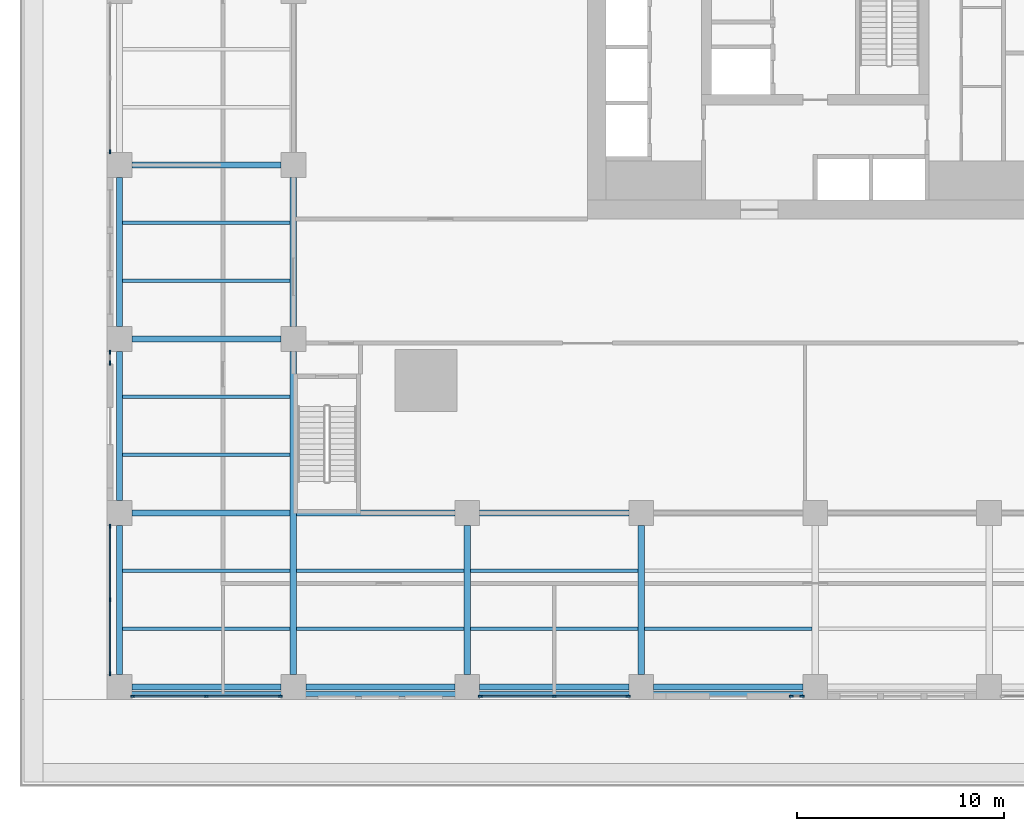
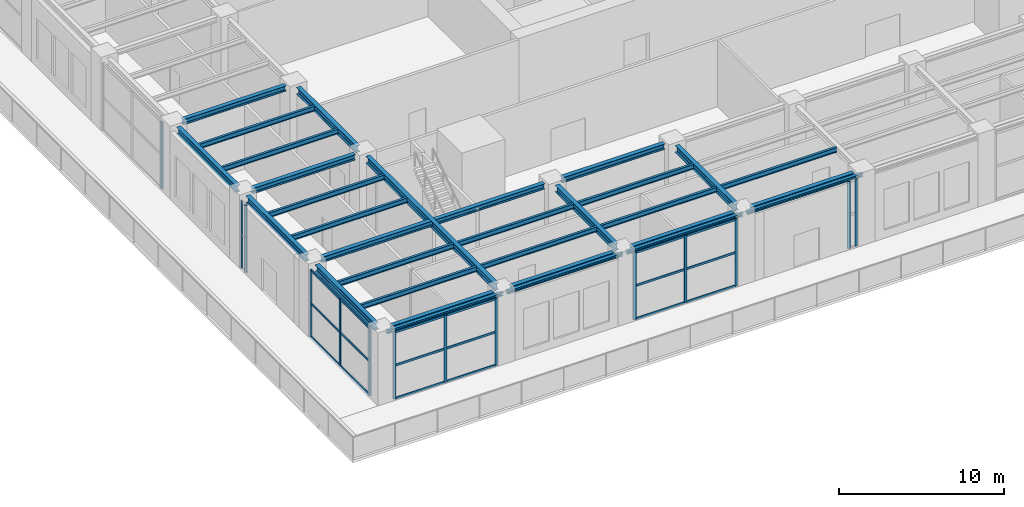
# One storey, part 2 of 36: 32 members, 30 beams, 6 elements without a shape of their own.
"""IFC4 building model written with IfcOpenShell, lengths in metres."""

import ifcopenshell
import ifcopenshell.guid

model = None  # the IFC model being written
_history = None  # IfcOwnerHistory: only IFC2X3 demands one
_inside = {}  # id of a spatial element -> (the spatial element, [elements in it])
_under = {}  # id of a project, library or spatial element -> (it, [spatial elements below it])
_declared = {}  # id of a project -> (the project, [libraries it declares])
_typed = {}  # id of a type object -> (the type object, [elements of that type])
_made_of = {}  # id of a material, layer set ... -> (it, [elements and type objects made of it])


def new_model(schema):
    """Start an empty IFC model of exactly this schema.

    Asked for "IFC4X3", IfcOpenShell would pick the latest addendum, in which some entities
    have other attributes; the version numbers below select the first issue.
    IFC2X3 requires an IfcOwnerHistory on every rooted entity: one is made here for all.
    """
    global model, _history
    if schema == "IFC4X3":
        model = ifcopenshell.file(schema_version=(4, 3, 0, 0))
    else:
        model = ifcopenshell.file(schema=schema)
    _inside.clear()
    _under.clear()
    _declared.clear()
    _typed.clear()
    _made_of.clear()
    _history = None
    if model.schema == "IFC2X3":
        org = make("IfcOrganization", Name="unknown")
        user = make(
            "IfcPersonAndOrganization",
            ThePerson=make("IfcPerson", FamilyName="unknown"),
            TheOrganization=org,
        )
        app = make(
            "IfcApplication",
            ApplicationDeveloper=org,
            Version="unknown",
            ApplicationFullName="unknown",
            ApplicationIdentifier="unknown",
        )
        _history = make(
            "IfcOwnerHistory",
            OwningUser=user,
            OwningApplication=app,
            ChangeAction="ADDED",
            CreationDate=0,
        )
    return model


def make(cls, **values):
    """One entity of the class cls with the attributes given. An attribute that is None is left unset."""
    return model.create_entity(
        cls, **{name: value for name, value in values.items() if value is not None}
    )


def rooted(cls, **values):
    """An entity with a GlobalId (a new one), such as an element, a storey or a relation."""
    return make(cls, GlobalId=ifcopenshell.guid.new(), OwnerHistory=_history, **values)


def si_unit(unit_type, name, prefix=None):
    """IfcSIUnit, for example si_unit("LENGTHUNIT", "METRE", prefix="MILLI")."""
    return make("IfcSIUnit", UnitType=unit_type, Prefix=prefix, Name=name)


def assignment(units):
    """IfcUnitAssignment: the units of a project."""
    return None if units is None else make("IfcUnitAssignment", Units=units)


def point(xyz):
    """IfcCartesianPoint."""
    return None if xyz is None else make("IfcCartesianPoint", Coordinates=xyz)


def direction(xyz):
    """IfcDirection."""
    return None if xyz is None else make("IfcDirection", DirectionRatios=xyz)


def frame(location, z_axis=None, x_axis=None):
    """IfcAxis2Placement3D, a coordinate frame: its origin and axes. An axis left out is left unset."""
    return make(
        "IfcAxis2Placement3D",
        Location=point(location),
        Axis=direction(z_axis),
        RefDirection=direction(x_axis),
    )


def frame_2d(location, x_axis=None):
    """IfcAxis2Placement2D, a coordinate frame in the plane: its origin and x axis."""
    return make(
        "IfcAxis2Placement2D", Location=point(location), RefDirection=direction(x_axis)
    )


def origin():
    """The frame at (0, 0, 0) with its axes left unset."""
    return frame((0.0, 0.0, 0.0))


def origin_2d():
    """The frame at (0, 0) in the plane with its x axis left unset."""
    return frame_2d((0.0, 0.0))


def place(relative_to, where):
    """IfcLocalPlacement: puts the frame where relative to a parent placement (None: the world)."""
    return make(
        "IfcLocalPlacement", PlacementRelTo=relative_to, RelativePlacement=where
    )


def context(
    kind, dimensions, precision=None, world=None, true_north=None, identifier=None
):
    """IfcGeometricRepresentationContext, for example the 3D "Model" context."""
    return make(
        "IfcGeometricRepresentationContext",
        ContextIdentifier=identifier,
        ContextType=kind,
        CoordinateSpaceDimension=dimensions,
        Precision=precision,
        WorldCoordinateSystem=world,
        TrueNorth=true_north,
    )


def subcontext(parent, identifier, kind, view, scale=None):
    """IfcGeometricRepresentationSubContext, for example "Body" below "Model"."""
    return make(
        "IfcGeometricRepresentationSubContext",
        ContextIdentifier=identifier,
        ContextType=kind,
        ParentContext=parent,
        TargetScale=scale,
        TargetView=view,
    )


def project(units=None, contexts=None):
    """IfcProject with its units and contexts."""
    return rooted(
        "IfcProject",
        Name="project",
        RepresentationContexts=contexts,
        UnitsInContext=assignment(units),
    )


def spatial(cls, under=None, at=None, **own):
    """A site, building, storey or space (cls), placed at a placement, below another one or the project."""
    s = rooted(cls, ObjectPlacement=at, **own)
    if under is not None:
        _under.setdefault(under.id(), (under, []))[1].append(s)
    return s


def profile(cls, at=None, kind="AREA", **sizes):
    """A parametric profile (cls). Its sizes go by their IFC names, for example OverallWidth=200.0."""
    return make(cls, ProfileType=kind, Position=at, **sizes)


def rectangle(**sizes):
    """IfcRectangleProfileDef."""
    return profile("IfcRectangleProfileDef", **sizes)


def i_section(**sizes):
    """IfcIShapeProfileDef."""
    return profile("IfcIShapeProfileDef", **sizes)


def extrude(swept, where, along, depth):
    """IfcExtrudedAreaSolid: the profile swept, set in the frame where, extruded along a direction by depth."""
    return make(
        "IfcExtrudedAreaSolid",
        SweptArea=swept,
        Position=where,
        ExtrudedDirection=direction(along),
        Depth=depth,
    )


def shape(context_of_items, identifier, shape_type, items):
    """IfcShapeRepresentation: the items that make up one representation, for example the "Body"."""
    return make(
        "IfcShapeRepresentation",
        ContextOfItems=context_of_items,
        RepresentationIdentifier=identifier,
        RepresentationType=shape_type,
        Items=items,
    )


def material(Name=None, Category=None):
    """IfcMaterial."""
    return make("IfcMaterial", Name=Name, Category=Category)


def material_profile(
    of_material, cross_section, Name=None, Category=None, Priority=None
):
    """IfcMaterialProfile: a cross section and its material."""
    return make(
        "IfcMaterialProfile",
        Name=Name,
        Material=of_material,
        Profile=cross_section,
        Priority=Priority,
        Category=Category,
    )


def profile_set(profiles, Name=None, composite=None):
    """IfcMaterialProfileSet."""
    return make(
        "IfcMaterialProfileSet",
        Name=Name,
        MaterialProfiles=profiles,
        CompositeProfile=composite,
    )


def made_of(thing, what):
    """Note that an element or type object is made of a material, layer set ...; save() writes the relation."""
    if what is not None:
        _made_of.setdefault(what.id(), (what, []))[1].append(thing)
    return thing


def type_object(cls, material=None, **own):
    """A type object (cls), such as IfcWallType, which elements share."""
    return made_of(rooted(cls, **own), material)


def element(
    cls,
    number,
    at=None,
    inside=None,
    cuts=None,
    type_object=None,
    material=None,
    context=None,
    identifier="Body",
    shape_type=None,
    held_by="IfcProductDefinitionShape",
    body=None,
    shapes=None,
    **own,
):
    """One element of the class cls, such as IfcWall. Its Tag is "e" and its number.

    at: its placement. inside: the storey or other place that contains it. cuts: it is an
    opening in that element (IfcRelVoidsElement). A single representation is given by context,
    identifier, shape_type and body (its items); several are given by shapes. held_by: the class
    of the entity that holds the representations. save() writes the other relations.
    """
    e = rooted(cls, Tag="e%d" % number, ObjectPlacement=at, **own)
    if body is not None:
        shapes = [shape(context, identifier, shape_type, body)]
    if shapes is not None:
        e.Representation = make(held_by, Representations=shapes)
    if inside is not None:
        _inside.setdefault(inside.id(), (inside, []))[1].append(e)
    if cuts is not None:
        rooted(
            "IfcRelVoidsElement", RelatingBuildingElement=cuts, RelatedOpeningElement=e
        )
    if type_object is not None:
        _typed.setdefault(type_object.id(), (type_object, []))[1].append(e)
    return made_of(e, material)


def aggregate(whole, parts):
    """IfcRelAggregates: a whole, such as a stair, and the parts it consists of."""
    return rooted("IfcRelAggregates", RelatingObject=whole, RelatedObjects=parts)


def save(model, path):
    """Write the relations noted so far, then the file.

    IfcRelAggregates (storeys below a building ...), IfcRelContainedInSpatialStructure (elements
    in a storey), IfcRelDefinesByType, IfcRelAssociatesMaterial and IfcRelDeclares: one each for
    every whole, place, type object, material and project.
    """
    for whole, parts in _under.values():
        aggregate(whole, parts)
    for where, things in _inside.values():
        rooted(
            "IfcRelContainedInSpatialStructure",
            RelatedElements=things,
            RelatingStructure=where,
        )
    for kind, things in _typed.values():
        rooted("IfcRelDefinesByType", RelatedObjects=things, RelatingType=kind)
    for what, things in _made_of.values():
        rooted("IfcRelAssociatesMaterial", RelatedObjects=things, RelatingMaterial=what)
    for by, libraries in _declared.values():
        rooted("IfcRelDeclares", RelatingContext=by, RelatedDefinitions=libraries)
    model.write(path)


model = new_model("IFC4")

# Units and contexts
model_context = context("Model", 3, precision=1e-05, world=origin(), true_north=direction((0.0, 1.0)))
body_context = subcontext(model_context, "Body", "Model", "MODEL_VIEW")
ifc_project = project(units=[si_unit("LENGTHUNIT", "METRE"), si_unit("AREAUNIT", "SQUARE_METRE"), si_unit("VOLUMEUNIT", "CUBIC_METRE"), si_unit("PLANEANGLEUNIT", "RADIAN"), si_unit("MASSUNIT", "GRAM", prefix="KILO")], contexts=[model_context])

# Site, building, storey
site_placement = place(None, origin())
site = spatial("IfcSite", under=ifc_project, at=site_placement, CompositionType="ELEMENT")
building_placement = place(site_placement, origin())
building = spatial("IfcBuilding", under=site, at=building_placement, Name="Khepri Terraces", CompositionType="ELEMENT")
storey_placement = place(building_placement, frame((0.0, 0.0, 16.800048828125)))
storey = spatial("IfcBuildingStorey", under=building, at=storey_placement, Name="L03", CompositionType="ELEMENT", Elevation=16.800048828125)

# Curtain wall, members
ifc_material_1 = material(Name="Anodised aluminium bronze curtain wall", Category="aluminium")
curtain_wall_type = type_object("IfcCurtainWallType", Name="CW-SYS5-BALLROOM", PredefinedType="NOTDEFINED", material=ifc_material_1)
curtain_wall_1_placement = place(storey_placement, origin())
curtain_wall_1 = element("IfcCurtainWall", 1, at=curtain_wall_1_placement, inside=storey, type_object=curtain_wall_type, Name="Curtain wall CW5 L03 S", PredefinedType="NOTDEFINED")
ifc_material_2 = material(Name="Anodised aluminium bronze", Category="aluminium")
ifc_material_profile_1 = material_profile(ifc_material_2, rectangle(XDim=0.080078125, YDim=0.199951171875, at=origin_2d()), Name="Anodised aluminium bronze", Category="aluminium")
ifc_profile_set_1 = profile_set([ifc_material_profile_1], Name="Anodised aluminium bronze")
member_type_1 = type_object("IfcMemberType", Name="CW-MULLION-80x200", PredefinedType="MULLION", material=ifc_profile_set_1)
member_1_placement = place(storey_placement, frame((-32.9599609375, -34.050048828125, 0.0), z_axis=(0.0, 0.0, 1.0), x_axis=(0.0, 1.0, 0.0)))
member_1 = element("IfcMember", 2, at=member_1_placement, type_object=member_type_1, Name="CW5 mullion 1", PredefinedType="MULLION", context=body_context, shape_type="SweptSolid", body=[
    extrude(rectangle(XDim=0.080078125, YDim=0.199951171875, at=origin_2d()), origin(), (0.0, 0.0, 1.0), 4.97998046875),
])
member_2_placement = place(storey_placement, frame((-29.39990234375, -34.050048828125, 0.0), z_axis=(0.0, 0.0, 1.0), x_axis=(0.0, 1.0, 0.0)))
member_2 = element("IfcMember", 3, at=member_2_placement, type_object=member_type_1, Name="CW5 mullion 2", PredefinedType="MULLION", context=body_context, shape_type="SweptSolid", body=[
    extrude(rectangle(XDim=0.080078125, YDim=0.199951171875, at=origin_2d()), origin(), (0.0, 0.0, 1.0), 4.97998046875),
])
member_3_placement = place(storey_placement, frame((-25.840087890625, -34.050048828125, 0.0), z_axis=(0.0, 0.0, 1.0), x_axis=(0.0, 1.0, 0.0)))
member_3 = element("IfcMember", 4, at=member_3_placement, type_object=member_type_1, Name="CW5 mullion 3", PredefinedType="MULLION", context=body_context, shape_type="SweptSolid", body=[
    extrude(rectangle(XDim=0.080078125, YDim=0.199951171875, at=origin_2d()), origin(), (0.0, 0.0, 1.0), 4.97998046875),
])

curtain_wall_2_placement = place(storey_placement, origin())
curtain_wall_2 = element("IfcCurtainWall", 5, at=curtain_wall_2_placement, inside=storey, type_object=curtain_wall_type, Name="Curtain wall CW5 L03 S", PredefinedType="NOTDEFINED")
member_4_placement = place(storey_placement, frame((-16.159912109375, -34.050048828125, 0.0), z_axis=(0.0, 0.0, 1.0), x_axis=(0.0, 1.0, 0.0)))
member_4 = element("IfcMember", 6, at=member_4_placement, type_object=member_type_1, Name="CW5 mullion 1", PredefinedType="MULLION", context=body_context, shape_type="SweptSolid", body=[
    extrude(rectangle(XDim=0.080078125, YDim=0.199951171875, at=origin_2d()), origin(), (0.0, 0.0, 1.0), 4.97998046875),
])
member_5_placement = place(storey_placement, frame((-12.60009765625, -34.050048828125, 0.0), z_axis=(0.0, 0.0, 1.0), x_axis=(0.0, 1.0, 0.0)))
member_5 = element("IfcMember", 7, at=member_5_placement, type_object=member_type_1, Name="CW5 mullion 2", PredefinedType="MULLION", context=body_context, shape_type="SweptSolid", body=[
    extrude(rectangle(XDim=0.080078125, YDim=0.199951171875, at=origin_2d()), origin(), (0.0, 0.0, 1.0), 4.97998046875),
])
member_6_placement = place(storey_placement, frame((-9.0400390625, -34.050048828125, 0.0), z_axis=(0.0, 0.0, 1.0), x_axis=(0.0, 1.0, 0.0)))
member_6 = element("IfcMember", 8, at=member_6_placement, type_object=member_type_1, Name="CW5 mullion 3", PredefinedType="MULLION", context=body_context, shape_type="SweptSolid", body=[
    extrude(rectangle(XDim=0.080078125, YDim=0.199951171875, at=origin_2d()), origin(), (0.0, 0.0, 1.0), 4.97998046875),
])

curtain_wall_3_placement = place(storey_placement, origin())
curtain_wall_3 = element("IfcCurtainWall", 9, at=curtain_wall_3_placement, inside=storey, type_object=curtain_wall_type, Name="Curtain wall CW5 L03 S", PredefinedType="NOTDEFINED")
member_7_placement = place(storey_placement, frame((-1.159912109375, -34.050048828125, 0.0), z_axis=(0.0, 0.0, 1.0), x_axis=(0.0, 1.0, 0.0)))
member_7 = element("IfcMember", 10, at=member_7_placement, type_object=member_type_1, Name="CW5 mullion 1", PredefinedType="MULLION", context=body_context, shape_type="SweptSolid", body=[
    extrude(rectangle(XDim=0.080078125, YDim=0.199951171875, at=origin_2d()), origin(), (0.0, 0.0, 1.0), 4.97998046875),
])
member_8_placement = place(storey_placement, frame((-0.639892578125, -34.050048828125, 0.0), z_axis=(0.0, 0.0, 1.0), x_axis=(0.0, 1.0, 0.0)))
member_8 = element("IfcMember", 11, at=member_8_placement, type_object=member_type_1, Name="CW5 mullion 2", PredefinedType="MULLION", context=body_context, shape_type="SweptSolid", body=[
    extrude(rectangle(XDim=0.080078125, YDim=0.199951171875, at=origin_2d()), origin(), (0.0, 0.0, 1.0), 4.97998046875),
])
aggregate(curtain_wall_3, [member_7, member_8])

# Curtain wall, member
curtain_wall_4_placement = place(storey_placement, origin())
curtain_wall_4 = element("IfcCurtainWall", 12, at=curtain_wall_4_placement, inside=storey, type_object=curtain_wall_type, Name="Curtain wall CW5 L03 W", PredefinedType="NOTDEFINED")
member_9_placement = place(storey_placement, frame((-34.050048828125, -7.760009765625, 0.0), z_axis=(0.0, 0.0, 1.0), x_axis=(1.0, 0.0, 0.0)))
member_9 = element("IfcMember", 13, at=member_9_placement, type_object=member_type_1, Name="CW5 mullion 3", PredefinedType="MULLION", context=body_context, shape_type="SweptSolid", body=[
    extrude(rectangle(XDim=0.080078125, YDim=0.199951171875, at=origin_2d()), origin(), (0.0, 0.0, 1.0), 4.97998046875),
])
aggregate(curtain_wall_4, [member_9])

# Curtain wall, members
curtain_wall_5_placement = place(storey_placement, origin())
curtain_wall_5 = element("IfcCurtainWall", 14, at=curtain_wall_5_placement, inside=storey, type_object=curtain_wall_type, Name="Curtain wall CW5 L03 W", PredefinedType="NOTDEFINED")
member_10_placement = place(storey_placement, frame((-34.050048828125, -17.43994140625, 0.0), z_axis=(0.0, 0.0, 1.0), x_axis=(1.0, 0.0, 0.0)))
member_10 = element("IfcMember", 15, at=member_10_placement, type_object=member_type_1, Name="CW5 mullion 1", PredefinedType="MULLION", context=body_context, shape_type="SweptSolid", body=[
    extrude(rectangle(XDim=0.080078125, YDim=0.199951171875, at=origin_2d()), origin(), (0.0, 0.0, 1.0), 4.97998046875),
])
member_11_placement = place(storey_placement, frame((-34.050048828125, -17.9599609375, 0.0), z_axis=(0.0, 0.0, 1.0), x_axis=(1.0, 0.0, 0.0)))
member_11 = element("IfcMember", 16, at=member_11_placement, type_object=member_type_1, Name="CW5 mullion 2", PredefinedType="MULLION", context=body_context, shape_type="SweptSolid", body=[
    extrude(rectangle(XDim=0.080078125, YDim=0.199951171875, at=origin_2d()), origin(), (0.0, 0.0, 1.0), 4.97998046875),
])
aggregate(curtain_wall_5, [member_10, member_11])

curtain_wall_6_placement = place(storey_placement, origin())
curtain_wall_6 = element("IfcCurtainWall", 17, at=curtain_wall_6_placement, inside=storey, type_object=curtain_wall_type, Name="Curtain wall CW5 L03 W", PredefinedType="NOTDEFINED")
member_12_placement = place(storey_placement, frame((-34.050048828125, -25.840087890625, 0.0), z_axis=(0.0, 0.0, 1.0), x_axis=(1.0, 0.0, 0.0)))
member_12 = element("IfcMember", 18, at=member_12_placement, type_object=member_type_1, Name="CW5 mullion 1", PredefinedType="MULLION", context=body_context, shape_type="SweptSolid", body=[
    extrude(rectangle(XDim=0.080078125, YDim=0.199951171875, at=origin_2d()), origin(), (0.0, 0.0, 1.0), 4.97998046875),
])
member_13_placement = place(storey_placement, frame((-34.050048828125, -29.39990234375, 0.0), z_axis=(0.0, 0.0, 1.0), x_axis=(1.0, 0.0, 0.0)))
member_13 = element("IfcMember", 19, at=member_13_placement, type_object=member_type_1, Name="CW5 mullion 2", PredefinedType="MULLION", context=body_context, shape_type="SweptSolid", body=[
    extrude(rectangle(XDim=0.080078125, YDim=0.199951171875, at=origin_2d()), origin(), (0.0, 0.0, 1.0), 4.97998046875),
])
member_14_placement = place(storey_placement, frame((-34.050048828125, -32.9599609375, 0.0), z_axis=(0.0, 0.0, 1.0), x_axis=(1.0, 0.0, 0.0)))
member_14 = element("IfcMember", 20, at=member_14_placement, type_object=member_type_1, Name="CW5 mullion 3", PredefinedType="MULLION", context=body_context, shape_type="SweptSolid", body=[
    extrude(rectangle(XDim=0.080078125, YDim=0.199951171875, at=origin_2d()), origin(), (0.0, 0.0, 1.0), 4.97998046875),
])

# Member
ifc_material_profile_2 = material_profile(ifc_material_2, rectangle(XDim=0.080078125, YDim=0.159912109375, at=origin_2d()), Name="Anodised aluminium bronze", Category="aluminium")
ifc_profile_set_2 = profile_set([ifc_material_profile_2], Name="Anodised aluminium bronze")
member_type_2 = type_object("IfcMemberType", Name="CW-TRANSOM-80x160", PredefinedType="USERDEFINED", material=ifc_profile_set_2)
member_15_placement = place(storey_placement, frame((-32.919921875, -34.050048828125, 0.0400390625), z_axis=(1.0, 0.0, 0.0), x_axis=(0.0, 1.0, 0.0)))
member_15 = element("IfcMember", 21, at=member_15_placement, type_object=member_type_2, Name="CW5 transom 1.1", ObjectType="TRANSOM", PredefinedType="USERDEFINED", context=body_context, shape_type="SweptSolid", body=[
    extrude(rectangle(XDim=0.080078125, YDim=0.159912109375, at=origin_2d()), origin(), (0.0, 0.0, 1.0), 3.47998046875),
])

member_16_placement = place(storey_placement, frame((-32.919921875, -34.050048828125, 2.489990234375), z_axis=(1.0, 0.0, 0.0), x_axis=(0.0, 1.0, 0.0)))
member_16 = element("IfcMember", 22, at=member_16_placement, type_object=member_type_2, Name="CW5 transom 1.2", ObjectType="TRANSOM", PredefinedType="USERDEFINED", context=body_context, shape_type="SweptSolid", body=[
    extrude(rectangle(XDim=0.080078125, YDim=0.159912109375, at=origin_2d()), origin(), (0.0, 0.0, 1.0), 3.47998046875),
])

member_17_placement = place(storey_placement, frame((-32.919921875, -34.050048828125, 4.93994140625), z_axis=(1.0, 0.0, 0.0), x_axis=(0.0, 1.0, 0.0)))
member_17 = element("IfcMember", 23, at=member_17_placement, type_object=member_type_2, Name="CW5 transom 1.3", ObjectType="TRANSOM", PredefinedType="USERDEFINED", context=body_context, shape_type="SweptSolid", body=[
    extrude(rectangle(XDim=0.080078125, YDim=0.159912109375, at=origin_2d()), origin(), (0.0, 0.0, 1.0), 3.47998046875),
])

member_18_placement = place(storey_placement, frame((-29.360107421875, -34.050048828125, 0.0400390625), z_axis=(1.0, 0.0, 0.0), x_axis=(0.0, 1.0, 0.0)))
member_18 = element("IfcMember", 24, at=member_18_placement, type_object=member_type_2, Name="CW5 transom 2.1", ObjectType="TRANSOM", PredefinedType="USERDEFINED", context=body_context, shape_type="SweptSolid", body=[
    extrude(rectangle(XDim=0.080078125, YDim=0.159912109375, at=origin_2d()), origin(), (0.0, 0.0, 1.0), 3.480224609375),
])

member_19_placement = place(storey_placement, frame((-29.360107421875, -34.050048828125, 2.489990234375), z_axis=(1.0, 0.0, 0.0), x_axis=(0.0, 1.0, 0.0)))
member_19 = element("IfcMember", 25, at=member_19_placement, type_object=member_type_2, Name="CW5 transom 2.2", ObjectType="TRANSOM", PredefinedType="USERDEFINED", context=body_context, shape_type="SweptSolid", body=[
    extrude(rectangle(XDim=0.080078125, YDim=0.159912109375, at=origin_2d()), origin(), (0.0, 0.0, 1.0), 3.480224609375),
])

member_20_placement = place(storey_placement, frame((-29.360107421875, -34.050048828125, 4.93994140625), z_axis=(1.0, 0.0, 0.0), x_axis=(0.0, 1.0, 0.0)))
member_20 = element("IfcMember", 26, at=member_20_placement, type_object=member_type_2, Name="CW5 transom 2.3", ObjectType="TRANSOM", PredefinedType="USERDEFINED", context=body_context, shape_type="SweptSolid", body=[
    extrude(rectangle(XDim=0.080078125, YDim=0.159912109375, at=origin_2d()), origin(), (0.0, 0.0, 1.0), 3.480224609375),
])

aggregate(curtain_wall_1, [member_1, member_2, member_3, member_15, member_16, member_17, member_18, member_19, member_20])

member_21_placement = place(storey_placement, frame((-16.1201171875, -34.050048828125, 0.0400390625), z_axis=(1.0, 0.0, 0.0), x_axis=(0.0, 1.0, 0.0)))
member_21 = element("IfcMember", 27, at=member_21_placement, type_object=member_type_2, Name="CW5 transom 1.1", ObjectType="TRANSOM", PredefinedType="USERDEFINED", context=body_context, shape_type="SweptSolid", body=[
    extrude(rectangle(XDim=0.080078125, YDim=0.159912109375, at=origin_2d()), origin(), (0.0, 0.0, 1.0), 3.480224609375),
])

member_22_placement = place(storey_placement, frame((-16.1201171875, -34.050048828125, 2.489990234375), z_axis=(1.0, 0.0, 0.0), x_axis=(0.0, 1.0, 0.0)))
member_22 = element("IfcMember", 28, at=member_22_placement, type_object=member_type_2, Name="CW5 transom 1.2", ObjectType="TRANSOM", PredefinedType="USERDEFINED", context=body_context, shape_type="SweptSolid", body=[
    extrude(rectangle(XDim=0.080078125, YDim=0.159912109375, at=origin_2d()), origin(), (0.0, 0.0, 1.0), 3.480224609375),
])

member_23_placement = place(storey_placement, frame((-16.1201171875, -34.050048828125, 4.93994140625), z_axis=(1.0, 0.0, 0.0), x_axis=(0.0, 1.0, 0.0)))
member_23 = element("IfcMember", 29, at=member_23_placement, type_object=member_type_2, Name="CW5 transom 1.3", ObjectType="TRANSOM", PredefinedType="USERDEFINED", context=body_context, shape_type="SweptSolid", body=[
    extrude(rectangle(XDim=0.080078125, YDim=0.159912109375, at=origin_2d()), origin(), (0.0, 0.0, 1.0), 3.480224609375),
])

member_24_placement = place(storey_placement, frame((-12.56005859375, -34.050048828125, 0.0400390625), z_axis=(1.0, 0.0, 0.0), x_axis=(0.0, 1.0, 0.0)))
member_24 = element("IfcMember", 30, at=member_24_placement, type_object=member_type_2, Name="CW5 transom 2.1", ObjectType="TRANSOM", PredefinedType="USERDEFINED", context=body_context, shape_type="SweptSolid", body=[
    extrude(rectangle(XDim=0.080078125, YDim=0.159912109375, at=origin_2d()), origin(), (0.0, 0.0, 1.0), 3.47998046875),
])

member_25_placement = place(storey_placement, frame((-12.56005859375, -34.050048828125, 2.489990234375), z_axis=(1.0, 0.0, 0.0), x_axis=(0.0, 1.0, 0.0)))
member_25 = element("IfcMember", 31, at=member_25_placement, type_object=member_type_2, Name="CW5 transom 2.2", ObjectType="TRANSOM", PredefinedType="USERDEFINED", context=body_context, shape_type="SweptSolid", body=[
    extrude(rectangle(XDim=0.080078125, YDim=0.159912109375, at=origin_2d()), origin(), (0.0, 0.0, 1.0), 3.47998046875),
])

member_26_placement = place(storey_placement, frame((-12.56005859375, -34.050048828125, 4.93994140625), z_axis=(1.0, 0.0, 0.0), x_axis=(0.0, 1.0, 0.0)))
member_26 = element("IfcMember", 32, at=member_26_placement, type_object=member_type_2, Name="CW5 transom 2.3", ObjectType="TRANSOM", PredefinedType="USERDEFINED", context=body_context, shape_type="SweptSolid", body=[
    extrude(rectangle(XDim=0.080078125, YDim=0.159912109375, at=origin_2d()), origin(), (0.0, 0.0, 1.0), 3.47998046875),
])

aggregate(curtain_wall_2, [member_4, member_5, member_6, member_21, member_22, member_23, member_24, member_25, member_26])

member_27_placement = place(storey_placement, frame((-34.050048828125, -25.8798828125, 0.0400390625), z_axis=(0.0, -1.0, 0.0), x_axis=(1.0, 0.0, 0.0)))
member_27 = element("IfcMember", 33, at=member_27_placement, type_object=member_type_2, Name="CW5 transom 1.1", ObjectType="TRANSOM", PredefinedType="USERDEFINED", context=body_context, shape_type="SweptSolid", body=[
    extrude(rectangle(XDim=0.080078125, YDim=0.159912109375, at=origin_2d()), origin(), (0.0, 0.0, 1.0), 3.480224609375),
])

member_28_placement = place(storey_placement, frame((-34.050048828125, -25.8798828125, 2.489990234375), z_axis=(0.0, -1.0, 0.0), x_axis=(1.0, 0.0, 0.0)))
member_28 = element("IfcMember", 34, at=member_28_placement, type_object=member_type_2, Name="CW5 transom 1.2", ObjectType="TRANSOM", PredefinedType="USERDEFINED", context=body_context, shape_type="SweptSolid", body=[
    extrude(rectangle(XDim=0.080078125, YDim=0.159912109375, at=origin_2d()), origin(), (0.0, 0.0, 1.0), 3.480224609375),
])

member_29_placement = place(storey_placement, frame((-34.050048828125, -25.8798828125, 4.93994140625), z_axis=(0.0, -1.0, 0.0), x_axis=(1.0, 0.0, 0.0)))
member_29 = element("IfcMember", 35, at=member_29_placement, type_object=member_type_2, Name="CW5 transom 1.3", ObjectType="TRANSOM", PredefinedType="USERDEFINED", context=body_context, shape_type="SweptSolid", body=[
    extrude(rectangle(XDim=0.080078125, YDim=0.159912109375, at=origin_2d()), origin(), (0.0, 0.0, 1.0), 3.480224609375),
])

member_30_placement = place(storey_placement, frame((-34.050048828125, -29.43994140625, 0.0400390625), z_axis=(0.0, -1.0, 0.0), x_axis=(1.0, 0.0, 0.0)))
member_30 = element("IfcMember", 36, at=member_30_placement, type_object=member_type_2, Name="CW5 transom 2.1", ObjectType="TRANSOM", PredefinedType="USERDEFINED", context=body_context, shape_type="SweptSolid", body=[
    extrude(rectangle(XDim=0.080078125, YDim=0.159912109375, at=origin_2d()), origin(), (0.0, 0.0, 1.0), 3.47998046875),
])

member_31_placement = place(storey_placement, frame((-34.050048828125, -29.43994140625, 2.489990234375), z_axis=(0.0, -1.0, 0.0), x_axis=(1.0, 0.0, 0.0)))
member_31 = element("IfcMember", 37, at=member_31_placement, type_object=member_type_2, Name="CW5 transom 2.2", ObjectType="TRANSOM", PredefinedType="USERDEFINED", context=body_context, shape_type="SweptSolid", body=[
    extrude(rectangle(XDim=0.080078125, YDim=0.159912109375, at=origin_2d()), origin(), (0.0, 0.0, 1.0), 3.47998046875),
])

member_32_placement = place(storey_placement, frame((-34.050048828125, -29.43994140625, 4.93994140625), z_axis=(0.0, -1.0, 0.0), x_axis=(1.0, 0.0, 0.0)))
member_32 = element("IfcMember", 38, at=member_32_placement, type_object=member_type_2, Name="CW5 transom 2.3", ObjectType="TRANSOM", PredefinedType="USERDEFINED", context=body_context, shape_type="SweptSolid", body=[
    extrude(rectangle(XDim=0.080078125, YDim=0.159912109375, at=origin_2d()), origin(), (0.0, 0.0, 1.0), 3.47998046875),
])

aggregate(curtain_wall_6, [member_12, member_13, member_14, member_27, member_28, member_29, member_30, member_31, member_32])

# Beams
ifc_material_3 = material(Name="Steel S355", Category="steel")
ifc_material_profile_3 = material_profile(ifc_material_3, i_section(OverallWidth=0.239990234375, OverallDepth=0.22998046875, WebThickness=0.007568359375, FlangeThickness=0.011962890625, FilletRadius=0.02099609375, at=origin_2d()), Name="Steel S355", Category="steel")
ifc_profile_set_3 = profile_set([ifc_material_profile_3], Name="Steel S355")
beam_type_1 = type_object("IfcBeamType", Name="Podium edge beam L04 HEA 240", PredefinedType="SPANDREL", material=ifc_profile_set_3)
beam_1_placement = place(storey_placement, frame((-33.449951171875, -33.949951171875, 5.0849609375), z_axis=(1.0, 0.0, 0.0), x_axis=(0.0, 1.0, 0.0)))
element("IfcBeam", 39, at=beam_1_placement, inside=storey, type_object=beam_type_1, Name="Podium edge beam L04 001", PredefinedType="SPANDREL", context=body_context, shape_type="SweptSolid", body=[
    extrude(i_section(OverallWidth=0.239990234375, OverallDepth=0.22998046875, WebThickness=0.007568359375, FlangeThickness=0.011962890625, FilletRadius=0.02099609375, at=origin_2d()), origin(), (0.0, 0.0, 1.0), 8.099853515625),
])
beam_2_placement = place(storey_placement, frame((-25.050048828125, -33.949951171875, 5.0849609375), z_axis=(1.0, 0.0, 0.0), x_axis=(0.0, 1.0, 0.0)))
element("IfcBeam", 40, at=beam_2_placement, inside=storey, type_object=beam_type_1, Name="Podium edge beam L04 002", PredefinedType="SPANDREL", context=body_context, shape_type="SweptSolid", body=[
    extrude(i_section(OverallWidth=0.239990234375, OverallDepth=0.22998046875, WebThickness=0.007568359375, FlangeThickness=0.011962890625, FilletRadius=0.02099609375, at=origin_2d()), origin(), (0.0, 0.0, 1.0), 8.10009765625),
])
beam_3_placement = place(storey_placement, frame((-16.64990234375, -33.949951171875, 5.0849609375), z_axis=(1.0, 0.0, 0.0), x_axis=(0.0, 1.0, 0.0)))
element("IfcBeam", 41, at=beam_3_placement, inside=storey, type_object=beam_type_1, Name="Podium edge beam L04 003", PredefinedType="SPANDREL", context=body_context, shape_type="SweptSolid", body=[
    extrude(i_section(OverallWidth=0.239990234375, OverallDepth=0.22998046875, WebThickness=0.007568359375, FlangeThickness=0.011962890625, FilletRadius=0.02099609375, at=origin_2d()), origin(), (0.0, 0.0, 1.0), 8.099853515625),
])
beam_4_placement = place(storey_placement, frame((-8.25, -33.949951171875, 5.0849609375), z_axis=(1.0, 0.0, 0.0), x_axis=(0.0, 1.0, 0.0)))
element("IfcBeam", 42, at=beam_4_placement, inside=storey, type_object=beam_type_1, Name="Podium edge beam L04 004", PredefinedType="SPANDREL", context=body_context, shape_type="SweptSolid", body=[
    extrude(i_section(OverallWidth=0.239990234375, OverallDepth=0.22998046875, WebThickness=0.007568359375, FlangeThickness=0.011962890625, FilletRadius=0.02099609375, at=origin_2d()), origin(), (0.0, 0.0, 1.0), 8.10009765625),
])
ifc_material_profile_4 = material_profile(ifc_material_3, i_section(OverallWidth=0.300048828125, OverallDepth=0.5, WebThickness=0.014404296875, FlangeThickness=0.028076171875, FilletRadius=0.027099609375, at=origin_2d()), Name="Steel S355", Category="steel")
ifc_profile_set_4 = profile_set([ifc_material_profile_4], Name="Steel S355")
beam_type_2 = type_object("IfcBeamType", Name="Podium girder L04 HEB 500", PredefinedType="BEAM", material=ifc_profile_set_4)
beam_5_placement = place(storey_placement, frame((-33.60009765625, -33.0, 4.949951171875), z_axis=(0.0, 1.0, 0.0), x_axis=(-1.0, 0.0, 0.0)))
element("IfcBeam", 43, at=beam_5_placement, inside=storey, type_object=beam_type_2, Name="Podium girder L04 001", PredefinedType="BEAM", context=body_context, shape_type="SweptSolid", body=[
    extrude(i_section(OverallWidth=0.300048828125, OverallDepth=0.5, WebThickness=0.014404296875, FlangeThickness=0.028076171875, FilletRadius=0.027099609375, at=origin_2d()), origin(), (0.0, 0.0, 1.0), 7.199951171875),
])
beam_6_placement = place(storey_placement, frame((-33.60009765625, -24.60009765625, 4.949951171875), z_axis=(0.0, 1.0, 0.0), x_axis=(-1.0, 0.0, 0.0)))
element("IfcBeam", 44, at=beam_6_placement, inside=storey, type_object=beam_type_2, Name="Podium girder L04 002", PredefinedType="BEAM", context=body_context, shape_type="SweptSolid", body=[
    extrude(i_section(OverallWidth=0.300048828125, OverallDepth=0.5, WebThickness=0.014404296875, FlangeThickness=0.028076171875, FilletRadius=0.027099609375, at=origin_2d()), origin(), (0.0, 0.0, 1.0), 7.2001953125),
])
beam_7_placement = place(storey_placement, frame((-33.60009765625, -16.199951171875, 4.949951171875), z_axis=(0.0, 1.0, 0.0), x_axis=(-1.0, 0.0, 0.0)))
element("IfcBeam", 45, at=beam_7_placement, inside=storey, type_object=beam_type_2, Name="Podium girder L04 003", PredefinedType="BEAM", context=body_context, shape_type="SweptSolid", body=[
    extrude(i_section(OverallWidth=0.300048828125, OverallDepth=0.5, WebThickness=0.014404296875, FlangeThickness=0.028076171875, FilletRadius=0.027099609375, at=origin_2d()), origin(), (0.0, 0.0, 1.0), 7.199951171875),
])
beam_8_placement = place(storey_placement, frame((-25.199951171875, -33.0, 4.949951171875), z_axis=(0.0, 1.0, 0.0), x_axis=(-1.0, 0.0, 0.0)))
element("IfcBeam", 46, at=beam_8_placement, inside=storey, type_object=beam_type_2, Name="Podium girder L04 009", PredefinedType="BEAM", context=body_context, shape_type="SweptSolid", body=[
    extrude(i_section(OverallWidth=0.300048828125, OverallDepth=0.5, WebThickness=0.014404296875, FlangeThickness=0.028076171875, FilletRadius=0.027099609375, at=origin_2d()), origin(), (0.0, 0.0, 1.0), 15.60009765625),
])
for number, where, z_axis, x_axis, name in (
    (47, (-16.800048828125, -33.0, 4.949951171875), (0.0, 1.0, 0.0), (-1.0, 0.0, 0.0), "Podium girder L04 015"),
    (48, (-8.39990234375, -33.0, 4.949951171875), (0.0, 1.0, 0.0), (-1.0, 0.0, 0.0), "Podium girder L04 017"),
):
    element("IfcBeam", number, at=place(storey_placement, frame(where, z_axis=z_axis, x_axis=x_axis)), inside=storey, type_object=beam_type_2, Name=name, PredefinedType="BEAM", context=body_context, shape_type="SweptSolid", body=[
        extrude(i_section(OverallWidth=0.300048828125, OverallDepth=0.5, WebThickness=0.014404296875, FlangeThickness=0.028076171875, FilletRadius=0.027099609375, at=origin_2d()), origin(), (0.0, 0.0, 1.0), 7.199951171875),
    ])
ifc_material_profile_5 = material_profile(ifc_material_3, i_section(OverallWidth=0.300048828125, OverallDepth=0.39990234375, WebThickness=0.013427734375, FlangeThickness=0.02392578125, FilletRadius=0.027099609375, at=origin_2d()), Name="Steel S355", Category="steel")
ifc_profile_set_5 = profile_set([ifc_material_profile_5], Name="Steel S355")
beam_type_3 = type_object("IfcBeamType", Name="Podium girder L04 grid line HEB 400", PredefinedType="BEAM", material=ifc_profile_set_5)
beam_9_placement = place(storey_placement, frame((-33.0, -33.60009765625, 5.0), z_axis=(1.0, 0.0, 0.0), x_axis=(0.0, 1.0, 0.0)))
element("IfcBeam", 49, at=beam_9_placement, inside=storey, type_object=beam_type_3, Name="Podium grid-line girder L04 001", PredefinedType="BEAM", context=body_context, shape_type="SweptSolid", body=[
    extrude(i_section(OverallWidth=0.300048828125, OverallDepth=0.39990234375, WebThickness=0.013427734375, FlangeThickness=0.02392578125, FilletRadius=0.027099609375, at=origin_2d()), origin(), (0.0, 0.0, 1.0), 7.199951171875),
])
beam_10_placement = place(storey_placement, frame((-24.60009765625, -33.60009765625, 5.0), z_axis=(1.0, 0.0, 0.0), x_axis=(0.0, 1.0, 0.0)))
element("IfcBeam", 50, at=beam_10_placement, inside=storey, type_object=beam_type_3, Name="Podium grid-line girder L04 002", PredefinedType="BEAM", context=body_context, shape_type="SweptSolid", body=[
    extrude(i_section(OverallWidth=0.300048828125, OverallDepth=0.39990234375, WebThickness=0.013427734375, FlangeThickness=0.02392578125, FilletRadius=0.027099609375, at=origin_2d()), origin(), (0.0, 0.0, 1.0), 7.2001953125),
])
for number, where, z_axis, x_axis, name in (
    (51, (-16.199951171875, -33.60009765625, 5.0), (1.0, 0.0, 0.0), (0.0, 1.0, 0.0), "Podium grid-line girder L04 003"),
    (52, (-7.800048828125, -33.60009765625, 5.0), (1.0, 0.0, 0.0), (0.0, 1.0, 0.0), "Podium grid-line girder L04 004"),
):
    element("IfcBeam", number, at=place(storey_placement, frame(where, z_axis=z_axis, x_axis=x_axis)), inside=storey, type_object=beam_type_3, Name=name, PredefinedType="BEAM", context=body_context, shape_type="SweptSolid", body=[
        extrude(i_section(OverallWidth=0.300048828125, OverallDepth=0.39990234375, WebThickness=0.013427734375, FlangeThickness=0.02392578125, FilletRadius=0.027099609375, at=origin_2d()), origin(), (0.0, 0.0, 1.0), 7.199951171875),
    ])
beam_11_placement = place(storey_placement, frame((-33.0, -25.199951171875, 5.0), z_axis=(1.0, 0.0, 0.0), x_axis=(0.0, 1.0, 0.0)))
element("IfcBeam", 53, at=beam_11_placement, inside=storey, type_object=beam_type_3, Name="Podium grid-line girder L04 025", PredefinedType="BEAM", context=body_context, shape_type="SweptSolid", body=[
    extrude(i_section(OverallWidth=0.300048828125, OverallDepth=0.39990234375, WebThickness=0.013427734375, FlangeThickness=0.02392578125, FilletRadius=0.027099609375, at=origin_2d()), origin(), (0.0, 0.0, 1.0), 15.60009765625),
])
for number, where, z_axis, x_axis, name in (
    (54, (-16.199951171875, -25.199951171875, 5.0), (1.0, 0.0, 0.0), (0.0, 1.0, 0.0), "Podium grid-line girder L04 026"),
    (55, (-33.0, -16.800048828125, 5.0), (1.0, 0.0, 0.0), (0.0, 1.0, 0.0), "Podium grid-line girder L04 035"),
    (56, (-33.0, -8.39990234375, 5.0), (1.0, 0.0, 0.0), (0.0, 1.0, 0.0), "Podium grid-line girder L04 041"),
):
    element("IfcBeam", number, at=place(storey_placement, frame(where, z_axis=z_axis, x_axis=x_axis)), inside=storey, type_object=beam_type_3, Name=name, PredefinedType="BEAM", context=body_context, shape_type="SweptSolid", body=[
        extrude(i_section(OverallWidth=0.300048828125, OverallDepth=0.39990234375, WebThickness=0.013427734375, FlangeThickness=0.02392578125, FilletRadius=0.027099609375, at=origin_2d()), origin(), (0.0, 0.0, 1.0), 7.199951171875),
    ])
ifc_material_profile_6 = material_profile(ifc_material_3, i_section(OverallWidth=0.169921875, OverallDepth=0.360107421875, WebThickness=0.008056640625, FlangeThickness=0.0126953125, FilletRadius=0.01806640625, at=origin_2d()), Name="Steel S355", Category="steel")
ifc_profile_set_6 = profile_set([ifc_material_profile_6], Name="Steel S355")
beam_type_4 = type_object("IfcBeamType", Name="Podium joist L04 IPE 360", PredefinedType="JOIST", material=ifc_profile_set_6)
beam_12_placement = place(storey_placement, frame((-33.449951171875, -30.800048828125, 5.02001953125), z_axis=(1.0, 0.0, 0.0), x_axis=(0.0, 1.0, 0.0)))
element("IfcBeam", 57, at=beam_12_placement, inside=storey, type_object=beam_type_4, Name="Podium joist L04 009", PredefinedType="JOIST", context=body_context, shape_type="SweptSolid", body=[
    extrude(i_section(OverallWidth=0.169921875, OverallDepth=0.360107421875, WebThickness=0.008056640625, FlangeThickness=0.0126953125, FilletRadius=0.01806640625, at=origin_2d()), origin(), (0.0, 0.0, 1.0), 8.099853515625),
])
beam_13_placement = place(storey_placement, frame((-25.050048828125, -30.800048828125, 5.02001953125), z_axis=(1.0, 0.0, 0.0), x_axis=(0.0, 1.0, 0.0)))
element("IfcBeam", 58, at=beam_13_placement, inside=storey, type_object=beam_type_4, Name="Podium joist L04 010", PredefinedType="JOIST", context=body_context, shape_type="SweptSolid", body=[
    extrude(i_section(OverallWidth=0.169921875, OverallDepth=0.360107421875, WebThickness=0.008056640625, FlangeThickness=0.0126953125, FilletRadius=0.01806640625, at=origin_2d()), origin(), (0.0, 0.0, 1.0), 8.10009765625),
])
beam_14_placement = place(storey_placement, frame((-16.64990234375, -30.800048828125, 5.02001953125), z_axis=(1.0, 0.0, 0.0), x_axis=(0.0, 1.0, 0.0)))
element("IfcBeam", 59, at=beam_14_placement, inside=storey, type_object=beam_type_4, Name="Podium joist L04 011", PredefinedType="JOIST", context=body_context, shape_type="SweptSolid", body=[
    extrude(i_section(OverallWidth=0.169921875, OverallDepth=0.360107421875, WebThickness=0.008056640625, FlangeThickness=0.0126953125, FilletRadius=0.01806640625, at=origin_2d()), origin(), (0.0, 0.0, 1.0), 8.099853515625),
])
beam_15_placement = place(storey_placement, frame((-8.25, -30.800048828125, 5.02001953125), z_axis=(1.0, 0.0, 0.0), x_axis=(0.0, 1.0, 0.0)))
element("IfcBeam", 60, at=beam_15_placement, inside=storey, type_object=beam_type_4, Name="Podium joist L04 012", PredefinedType="JOIST", context=body_context, shape_type="SweptSolid", body=[
    extrude(i_section(OverallWidth=0.169921875, OverallDepth=0.360107421875, WebThickness=0.008056640625, FlangeThickness=0.0126953125, FilletRadius=0.01806640625, at=origin_2d()), origin(), (0.0, 0.0, 1.0), 8.10009765625),
])
beam_16_placement = place(storey_placement, frame((-33.449951171875, -28.0, 5.02001953125), z_axis=(1.0, 0.0, 0.0), x_axis=(0.0, 1.0, 0.0)))
element("IfcBeam", 61, at=beam_16_placement, inside=storey, type_object=beam_type_4, Name="Podium joist L04 017", PredefinedType="JOIST", context=body_context, shape_type="SweptSolid", body=[
    extrude(i_section(OverallWidth=0.169921875, OverallDepth=0.360107421875, WebThickness=0.008056640625, FlangeThickness=0.0126953125, FilletRadius=0.01806640625, at=origin_2d()), origin(), (0.0, 0.0, 1.0), 8.099853515625),
])
beam_17_placement = place(storey_placement, frame((-25.050048828125, -28.0, 5.02001953125), z_axis=(1.0, 0.0, 0.0), x_axis=(0.0, 1.0, 0.0)))
element("IfcBeam", 62, at=beam_17_placement, inside=storey, type_object=beam_type_4, Name="Podium joist L04 018", PredefinedType="JOIST", context=body_context, shape_type="SweptSolid", body=[
    extrude(i_section(OverallWidth=0.169921875, OverallDepth=0.360107421875, WebThickness=0.008056640625, FlangeThickness=0.0126953125, FilletRadius=0.01806640625, at=origin_2d()), origin(), (0.0, 0.0, 1.0), 8.10009765625),
])
for number, where, z_axis, x_axis, name in (
    (63, (-16.64990234375, -28.0, 5.02001953125), (1.0, 0.0, 0.0), (0.0, 1.0, 0.0), "Podium joist L04 019"),
    (64, (-33.449951171875, -22.39990234375, 5.02001953125), (1.0, 0.0, 0.0), (0.0, 1.0, 0.0), "Podium joist L04 031"),
    (65, (-33.449951171875, -19.60009765625, 5.02001953125), (1.0, 0.0, 0.0), (0.0, 1.0, 0.0), "Podium joist L04 033"),
    (66, (-33.449951171875, -14.0, 5.02001953125), (1.0, 0.0, 0.0), (0.0, 1.0, 0.0), "Podium joist L04 037"),
    (67, (-33.449951171875, -11.199951171875, 5.02001953125), (1.0, 0.0, 0.0), (0.0, 1.0, 0.0), "Podium joist L04 039"),
):
    element("IfcBeam", number, at=place(storey_placement, frame(where, z_axis=z_axis, x_axis=x_axis)), inside=storey, type_object=beam_type_4, Name=name, PredefinedType="JOIST", context=body_context, shape_type="SweptSolid", body=[
        extrude(i_section(OverallWidth=0.169921875, OverallDepth=0.360107421875, WebThickness=0.008056640625, FlangeThickness=0.0126953125, FilletRadius=0.01806640625, at=origin_2d()), origin(), (0.0, 0.0, 1.0), 8.099853515625),
    ])
ifc_material_profile_7 = material_profile(ifc_material_3, i_section(OverallWidth=0.300048828125, OverallDepth=0.5, WebThickness=0.014404296875, FlangeThickness=0.028076171875, FilletRadius=0.027099609375, at=origin_2d()), Name="Steel S355", Category="steel")
ifc_profile_set_7 = profile_set([ifc_material_profile_7], Name="Steel S355")
beam_type_5 = type_object("IfcBeamType", Name="Tower ring beam HEB 500", PredefinedType="BEAM", material=ifc_profile_set_7)
beam_18_placement = place(storey_placement, frame((-25.199951171875, -16.199951171875, 4.949951171875), z_axis=(0.0, 1.0, 0.0), x_axis=(-1.0, 0.0, 0.0)))
element("IfcBeam", 68, at=beam_18_placement, inside=storey, type_object=beam_type_5, Name="Ring beam L04 010", PredefinedType="BEAM", context=body_context, shape_type="SweptSolid", body=[
    extrude(i_section(OverallWidth=0.300048828125, OverallDepth=0.5, WebThickness=0.014404296875, FlangeThickness=0.028076171875, FilletRadius=0.027099609375, at=origin_2d()), origin(), (0.0, 0.0, 1.0), 7.199951171875),
])

save(model, "model.ifc")
